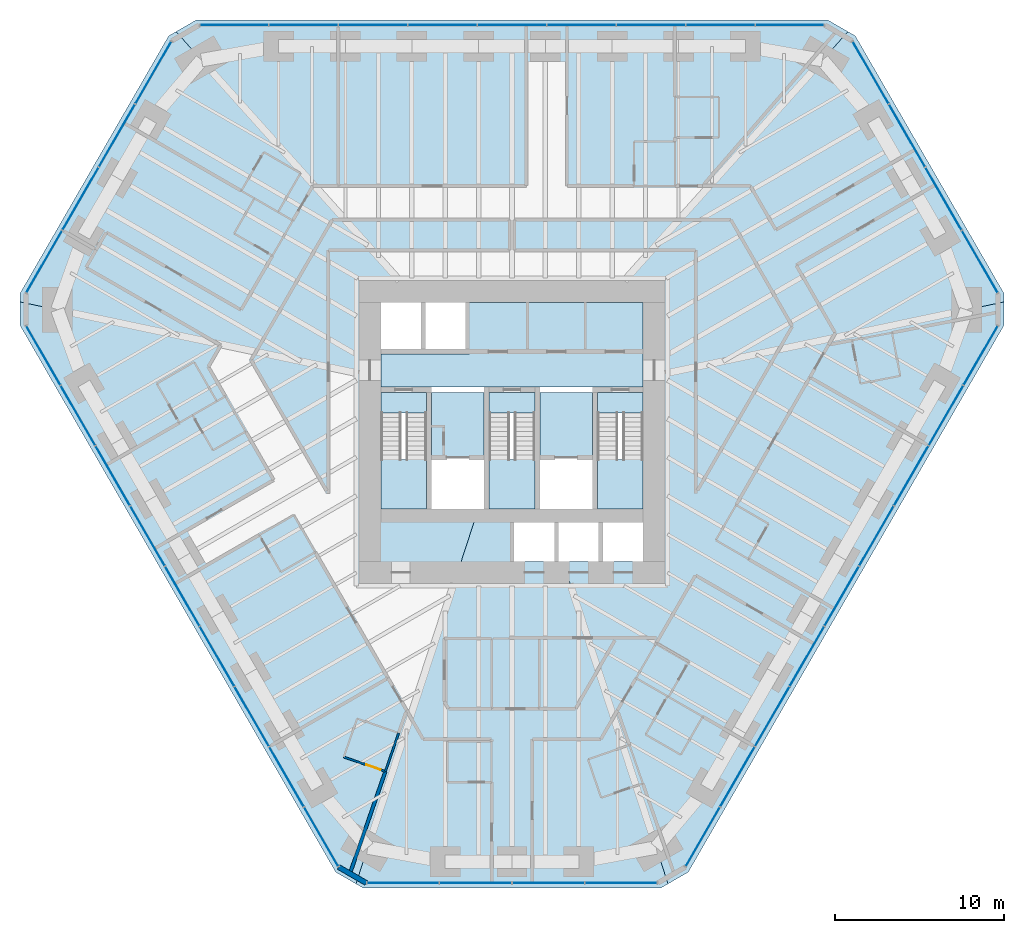
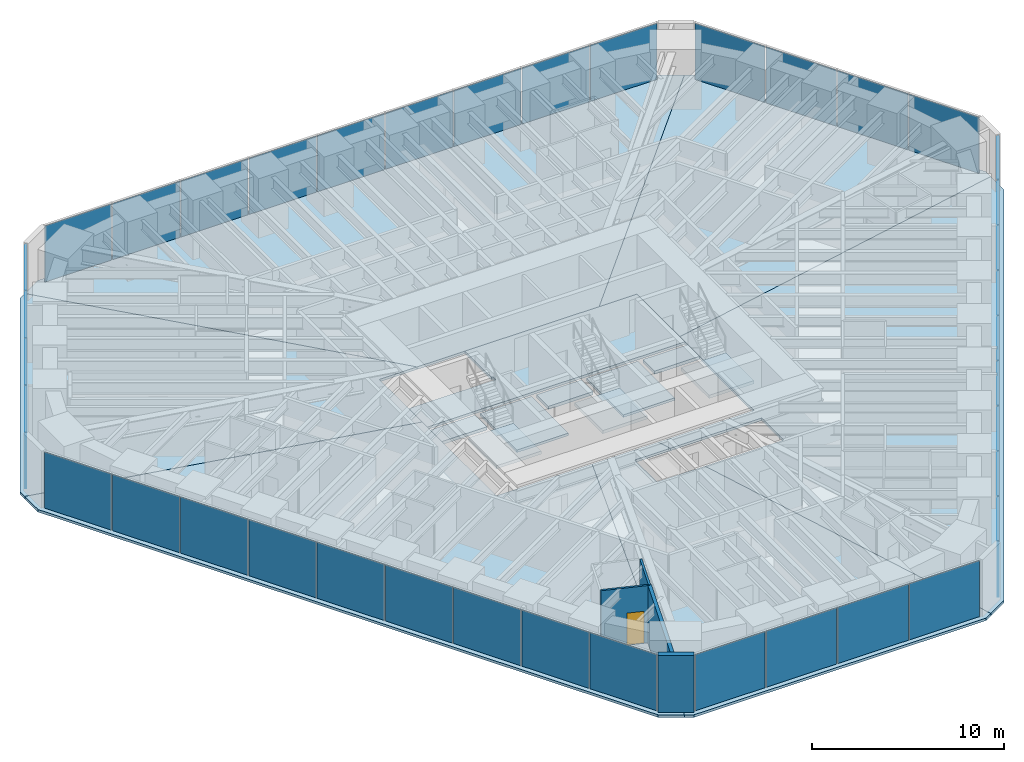
# One storey, part 10 of 16: 39 plates, 15 slabs, 4 walls, 1 door, 1 opening, 9 elements without a shape of their own.
"""IFC4 building model written with IfcOpenShell, lengths in metres."""

from ifc_helpers import new_model, si_unit, direction, frame, frame_2d, origin, origin_2d, place, context, subcontext, project, spatial, polyline, rectangle, outline, extrude, material, layer, layer_set, type_object, element, fill, aggregate, save


model = new_model("IFC4")

# Units and contexts
model_context = context("Model", 3, precision=1e-05, world=origin(), true_north=direction((0.0, 1.0)))
body_context = subcontext(model_context, "Body", "Model", "MODEL_VIEW")
ifc_project = project(units=[si_unit("LENGTHUNIT", "METRE"), si_unit("AREAUNIT", "SQUARE_METRE"), si_unit("VOLUMEUNIT", "CUBIC_METRE"), si_unit("PLANEANGLEUNIT", "RADIAN"), si_unit("MASSUNIT", "GRAM", prefix="KILO")], contexts=[model_context])

# Site, building, storey
site_placement = place(None, origin())
site = spatial("IfcSite", under=ifc_project, at=site_placement, CompositionType="ELEMENT")
building_placement = place(site_placement, origin())
building = spatial("IfcBuilding", under=site, at=building_placement, Name="Sandreach Pilgrim Tower", CompositionType="ELEMENT")
storey_placement = place(building_placement, frame((0.0, 0.0, 134.800048828125)))
storey = spatial("IfcBuildingStorey", under=building, at=storey_placement, Name="L33", CompositionType="ELEMENT", Elevation=134.800048828125)

# Curtain wall, plates
ifc_material_1 = material(Name="Aluminium framed curtain wall", Category="aluminium")
curtain_wall_type = type_object("IfcCurtainWallType", Name="Hotel tower curtain wall", PredefinedType="NOTDEFINED", material=ifc_material_1)
curtain_wall_1_placement = place(storey_placement, origin())
curtain_wall_1 = element("IfcCurtainWall", 1, at=curtain_wall_1_placement, inside=storey, type_object=curtain_wall_type, Name="CW-2 L33 N", PredefinedType="NOTDEFINED")
ifc_material_2 = material(Name="Insulating glass unit 8 heat-strengthened + 16 argon + 8 heat-strengthened", Category="glass")
ifc_layer_1 = layer(ifc_material_2, 0.031982421875)
ifc_layer_set_1 = layer_set([ifc_layer_1], Name="CW-2 panel")
plate_type = type_object("IfcPlateType", Name="CW-2 panel", PredefinedType="CURTAIN_PANEL", material=ifc_layer_set_1)
plate_1_placement = place(storey_placement, frame((-16.41162109375, 22.493896484375, 0.0), z_axis=(0.0, 0.0, 1.0), x_axis=(1.0, 0.0, 0.0)))
plate_1 = element("IfcPlate", 2, at=plate_1_placement, type_object=plate_type, Name="CW-2 panel 1", PredefinedType="CURTAIN_PANEL", context=body_context, shape_type="SweptSolid", body=[
    extrude(rectangle(XDim=4.009521484375, YDim=0.031982421875, at=origin_2d()), origin(), (0.0, 0.0, 1.0), 3.570068359375),
])
plate_2_placement = place(storey_placement, frame((-12.32080078125, 22.493896484375, 0.0), z_axis=(0.0, 0.0, 1.0), x_axis=(1.0, 0.0, 0.0)))
plate_2 = element("IfcPlate", 3, at=plate_2_placement, type_object=plate_type, Name="CW-2 panel 2", PredefinedType="CURTAIN_PANEL", context=body_context, shape_type="SweptSolid", body=[
    extrude(rectangle(XDim=4.0419921875, YDim=0.031982421875, at=origin_2d()), origin(), (0.0, 0.0, 1.0), 3.570068359375),
])
plate_3_placement = place(storey_placement, frame((-8.2138671875, 22.493896484375, 0.0), z_axis=(0.0, 0.0, 1.0), x_axis=(1.0, 0.0, 0.0)))
plate_3 = element("IfcPlate", 4, at=plate_3_placement, type_object=plate_type, Name="CW-2 panel 3", PredefinedType="CURTAIN_PANEL", context=body_context, shape_type="SweptSolid", body=[
    extrude(rectangle(XDim=4.0419921875, YDim=0.031982421875, at=origin_2d()), origin(), (0.0, 0.0, 1.0), 3.570068359375),
])
plate_4_placement = place(storey_placement, frame((-4.10693359375, 22.493896484375, 0.0), z_axis=(0.0, 0.0, 1.0), x_axis=(1.0, 0.0, 0.0)))
plate_4 = element("IfcPlate", 5, at=plate_4_placement, type_object=plate_type, Name="CW-2 panel 4", PredefinedType="CURTAIN_PANEL", context=body_context, shape_type="SweptSolid", body=[
    extrude(rectangle(XDim=4.0419921875, YDim=0.031982421875, at=origin_2d()), origin(), (0.0, 0.0, 1.0), 3.570068359375),
])
plate_5_placement = place(storey_placement, frame((0.0, 22.493896484375, 0.0), z_axis=(0.0, 0.0, 1.0), x_axis=(1.0, 0.0, 0.0)))
plate_5 = element("IfcPlate", 6, at=plate_5_placement, type_object=plate_type, Name="CW-2 panel 5", PredefinedType="CURTAIN_PANEL", context=body_context, shape_type="SweptSolid", body=[
    extrude(rectangle(XDim=4.0419921875, YDim=0.031982421875, at=origin_2d()), origin(), (0.0, 0.0, 1.0), 3.570068359375),
])
plate_6_placement = place(storey_placement, frame((4.10693359375, 22.493896484375, 0.0), z_axis=(0.0, 0.0, 1.0), x_axis=(1.0, 0.0, 0.0)))
plate_6 = element("IfcPlate", 7, at=plate_6_placement, type_object=plate_type, Name="CW-2 panel 6", PredefinedType="CURTAIN_PANEL", context=body_context, shape_type="SweptSolid", body=[
    extrude(rectangle(XDim=4.0419921875, YDim=0.031982421875, at=origin_2d()), origin(), (0.0, 0.0, 1.0), 3.570068359375),
])
plate_7_placement = place(storey_placement, frame((8.2138671875, 22.493896484375, 0.0), z_axis=(0.0, 0.0, 1.0), x_axis=(1.0, 0.0, 0.0)))
plate_7 = element("IfcPlate", 8, at=plate_7_placement, type_object=plate_type, Name="CW-2 panel 7", PredefinedType="CURTAIN_PANEL", context=body_context, shape_type="SweptSolid", body=[
    extrude(rectangle(XDim=4.0419921875, YDim=0.031982421875, at=origin_2d()), origin(), (0.0, 0.0, 1.0), 3.570068359375),
])
plate_8_placement = place(storey_placement, frame((12.32080078125, 22.493896484375, 0.0), z_axis=(0.0, 0.0, 1.0), x_axis=(1.0, 0.0, 0.0)))
plate_8 = element("IfcPlate", 9, at=plate_8_placement, type_object=plate_type, Name="CW-2 panel 8", PredefinedType="CURTAIN_PANEL", context=body_context, shape_type="SweptSolid", body=[
    extrude(rectangle(XDim=4.0419921875, YDim=0.031982421875, at=origin_2d()), origin(), (0.0, 0.0, 1.0), 3.570068359375),
])
plate_9_placement = place(storey_placement, frame((16.41162109375, 22.493896484375, 0.0), z_axis=(0.0, 0.0, 1.0), x_axis=(1.0, 0.0, 0.0)))
plate_9 = element("IfcPlate", 10, at=plate_9_placement, type_object=plate_type, Name="CW-2 panel 9", PredefinedType="CURTAIN_PANEL", context=body_context, shape_type="SweptSolid", body=[
    extrude(rectangle(XDim=4.009521484375, YDim=0.031982421875, at=origin_2d()), origin(), (0.0, 0.0, 1.0), 3.570068359375),
])
aggregate(curtain_wall_1, [plate_1, plate_2, plate_3, plate_4, plate_5, plate_6, plate_7, plate_8, plate_9])

curtain_wall_2_placement = place(storey_placement, origin())
curtain_wall_2 = element("IfcCurtainWall", 11, at=curtain_wall_2_placement, inside=storey, type_object=curtain_wall_type, Name="CW-2 L33 NE", PredefinedType="NOTDEFINED")
plate_10_placement = place(storey_placement, frame((21.194091796875, 19.67529296875, 0.0), z_axis=(0.0, 0.0, 1.0), x_axis=(0.5, -0.866025403784, 0.0)))
plate_10 = element("IfcPlate", 12, at=plate_10_placement, type_object=plate_type, Name="CW-2 panel 1", PredefinedType="CURTAIN_PANEL", context=body_context, shape_type="SweptSolid", body=[
    extrude(rectangle(XDim=4.208251953125, YDim=0.031982421875, at=origin_2d()), origin(), (0.0, 0.0, 1.0), 3.570068359375),
])
plate_11_placement = place(storey_placement, frame((23.3388671875, 15.96044921875, 0.0), z_axis=(0.0, 0.0, 1.0), x_axis=(0.5, -0.866025403784, 0.0)))
plate_11 = element("IfcPlate", 13, at=plate_11_placement, type_object=plate_type, Name="CW-2 panel 2", PredefinedType="CURTAIN_PANEL", context=body_context, shape_type="SweptSolid", body=[
    extrude(rectangle(XDim=4.24072265625, YDim=0.031982421875, at=origin_2d()), origin(), (0.0, 0.0, 1.0), 3.570068359375),
])
plate_12_placement = place(storey_placement, frame((25.49169921875, 12.231689453125, 0.0), z_axis=(0.0, 0.0, 1.0), x_axis=(0.5, -0.866025403784, 0.0)))
plate_12 = element("IfcPlate", 14, at=plate_12_placement, type_object=plate_type, Name="CW-2 panel 3", PredefinedType="CURTAIN_PANEL", context=body_context, shape_type="SweptSolid", body=[
    extrude(rectangle(XDim=4.24072265625, YDim=0.031982421875, at=origin_2d()), origin(), (0.0, 0.0, 1.0), 3.570068359375),
])
plate_13_placement = place(storey_placement, frame((27.63623046875, 8.516845703125, 0.0), z_axis=(0.0, 0.0, 1.0), x_axis=(0.5, -0.866025403784, 0.0)))
plate_13 = element("IfcPlate", 15, at=plate_13_placement, type_object=plate_type, Name="CW-2 panel 4", PredefinedType="CURTAIN_PANEL", context=body_context, shape_type="SweptSolid", body=[
    extrude(rectangle(XDim=4.208251953125, YDim=0.031982421875, at=origin_2d()), origin(), (0.0, 0.0, 1.0), 3.570068359375),
])
aggregate(curtain_wall_2, [plate_10, plate_11, plate_12, plate_13])

curtain_wall_3_placement = place(storey_placement, origin())
curtain_wall_3 = element("IfcCurtainWall", 16, at=curtain_wall_3_placement, inside=storey, type_object=curtain_wall_type, Name="CW-2 L33 SE", PredefinedType="NOTDEFINED")
plate_14_placement = place(storey_placement, frame((27.68603515625, 2.966064453125, 0.0), z_axis=(0.0, 0.0, 1.0), x_axis=(-0.5, -0.866025403784, 0.0)))
plate_14 = element("IfcPlate", 17, at=plate_14_placement, type_object=plate_type, Name="CW-2 panel 1", PredefinedType="CURTAIN_PANEL", context=body_context, shape_type="SweptSolid", body=[
    extrude(rectangle(XDim=4.009521484375, YDim=0.031982421875, at=origin_2d()), origin(), (0.0, 0.0, 1.0), 3.570068359375),
])
plate_15_placement = place(storey_placement, frame((25.640625, -0.57666015625, 0.0), z_axis=(0.0, 0.0, 1.0), x_axis=(-0.5, -0.866025403784, 0.0)))
plate_15 = element("IfcPlate", 18, at=plate_15_placement, type_object=plate_type, Name="CW-2 panel 2", PredefinedType="CURTAIN_PANEL", context=body_context, shape_type="SweptSolid", body=[
    extrude(rectangle(XDim=4.0419921875, YDim=0.031982421875, at=origin_2d()), origin(), (0.0, 0.0, 1.0), 3.570068359375),
])
plate_16_placement = place(storey_placement, frame((23.587158203125, -4.13330078125, 0.0), z_axis=(0.0, 0.0, 1.0), x_axis=(-0.5, -0.866025403784, 0.0)))
plate_16 = element("IfcPlate", 19, at=plate_16_placement, type_object=plate_type, Name="CW-2 panel 3", PredefinedType="CURTAIN_PANEL", context=body_context, shape_type="SweptSolid", body=[
    extrude(rectangle(XDim=4.0419921875, YDim=0.031982421875, at=origin_2d()), origin(), (0.0, 0.0, 1.0), 3.570068359375),
])
plate_17_placement = place(storey_placement, frame((21.53369140625, -7.690185546875, 0.0), z_axis=(0.0, 0.0, 1.0), x_axis=(-0.5, -0.866025403784, 0.0)))
plate_17 = element("IfcPlate", 20, at=plate_17_placement, type_object=plate_type, Name="CW-2 panel 4", PredefinedType="CURTAIN_PANEL", context=body_context, shape_type="SweptSolid", body=[
    extrude(rectangle(XDim=4.0419921875, YDim=0.031982421875, at=origin_2d()), origin(), (0.0, 0.0, 1.0), 3.570068359375),
])
plate_18_placement = place(storey_placement, frame((19.480224609375, -11.246826171875, 0.0), z_axis=(0.0, 0.0, 1.0), x_axis=(-0.5, -0.866025403784, 0.0)))
plate_18 = element("IfcPlate", 21, at=plate_18_placement, type_object=plate_type, Name="CW-2 panel 5", PredefinedType="CURTAIN_PANEL", context=body_context, shape_type="SweptSolid", body=[
    extrude(rectangle(XDim=4.0419921875, YDim=0.031982421875, at=origin_2d()), origin(), (0.0, 0.0, 1.0), 3.570068359375),
])
plate_19_placement = place(storey_placement, frame((17.4267578125, -14.8037109375, 0.0), z_axis=(0.0, 0.0, 1.0), x_axis=(-0.5, -0.866025403784, 0.0)))
plate_19 = element("IfcPlate", 22, at=plate_19_placement, type_object=plate_type, Name="CW-2 panel 6", PredefinedType="CURTAIN_PANEL", context=body_context, shape_type="SweptSolid", body=[
    extrude(rectangle(XDim=4.0419921875, YDim=0.031982421875, at=origin_2d()), origin(), (0.0, 0.0, 1.0), 3.570068359375),
])
plate_20_placement = place(storey_placement, frame((15.373291015625, -18.3603515625, 0.0), z_axis=(0.0, 0.0, 1.0), x_axis=(-0.5, -0.866025403784, 0.0)))
plate_20 = element("IfcPlate", 23, at=plate_20_placement, type_object=plate_type, Name="CW-2 panel 7", PredefinedType="CURTAIN_PANEL", context=body_context, shape_type="SweptSolid", body=[
    extrude(rectangle(XDim=4.0419921875, YDim=0.031982421875, at=origin_2d()), origin(), (0.0, 0.0, 1.0), 3.570068359375),
])
plate_21_placement = place(storey_placement, frame((13.31982421875, -21.917236328125, 0.0), z_axis=(0.0, 0.0, 1.0), x_axis=(-0.5, -0.866025403784, 0.0)))
plate_21 = element("IfcPlate", 24, at=plate_21_placement, type_object=plate_type, Name="CW-2 panel 8", PredefinedType="CURTAIN_PANEL", context=body_context, shape_type="SweptSolid", body=[
    extrude(rectangle(XDim=4.0419921875, YDim=0.031982421875, at=origin_2d()), origin(), (0.0, 0.0, 1.0), 3.570068359375),
])
plate_22_placement = place(storey_placement, frame((11.2744140625, -25.459716796875, 0.0), z_axis=(0.0, 0.0, 1.0), x_axis=(-0.5, -0.866025403784, 0.0)))
plate_22 = element("IfcPlate", 25, at=plate_22_placement, type_object=plate_type, Name="CW-2 panel 9", PredefinedType="CURTAIN_PANEL", context=body_context, shape_type="SweptSolid", body=[
    extrude(rectangle(XDim=4.009521484375, YDim=0.031982421875, at=origin_2d()), origin(), (0.0, 0.0, 1.0), 3.570068359375),
])
aggregate(curtain_wall_3, [plate_14, plate_15, plate_16, plate_17, plate_18, plate_19, plate_20, plate_21, plate_22])

curtain_wall_4_placement = place(storey_placement, origin())
curtain_wall_4 = element("IfcCurtainWall", 26, at=curtain_wall_4_placement, inside=storey, type_object=curtain_wall_type, Name="CW-2 L33 S", PredefinedType="NOTDEFINED")
plate_23_placement = place(storey_placement, frame((6.4423828125, -28.192138671875, 0.0), z_axis=(0.0, 0.0, 1.0), x_axis=(-1.0, 0.0, 0.0)))
plate_23 = element("IfcPlate", 27, at=plate_23_placement, type_object=plate_type, Name="CW-2 panel 1", PredefinedType="CURTAIN_PANEL", context=body_context, shape_type="SweptSolid", body=[
    extrude(rectangle(XDim=4.208251953125, YDim=0.031982421875, at=origin_2d()), origin(), (0.0, 0.0, 1.0), 3.570068359375),
])
plate_24_placement = place(storey_placement, frame((2.15283203125, -28.192138671875, 0.0), z_axis=(0.0, 0.0, 1.0), x_axis=(-1.0, 0.0, 0.0)))
plate_24 = element("IfcPlate", 28, at=plate_24_placement, type_object=plate_type, Name="CW-2 panel 2", PredefinedType="CURTAIN_PANEL", context=body_context, shape_type="SweptSolid", body=[
    extrude(rectangle(XDim=4.24072265625, YDim=0.031982421875, at=origin_2d()), origin(), (0.0, 0.0, 1.0), 3.570068359375),
])
plate_25_placement = place(storey_placement, frame((-2.15283203125, -28.192138671875, 0.0), z_axis=(0.0, 0.0, 1.0), x_axis=(-1.0, 0.0, 0.0)))
plate_25 = element("IfcPlate", 29, at=plate_25_placement, type_object=plate_type, Name="CW-2 panel 3", PredefinedType="CURTAIN_PANEL", context=body_context, shape_type="SweptSolid", body=[
    extrude(rectangle(XDim=4.24072265625, YDim=0.031982421875, at=origin_2d()), origin(), (0.0, 0.0, 1.0), 3.570068359375),
])
plate_26_placement = place(storey_placement, frame((-6.4423828125, -28.192138671875, 0.0), z_axis=(0.0, 0.0, 1.0), x_axis=(-1.0, 0.0, 0.0)))
plate_26 = element("IfcPlate", 30, at=plate_26_placement, type_object=plate_type, Name="CW-2 panel 4", PredefinedType="CURTAIN_PANEL", context=body_context, shape_type="SweptSolid", body=[
    extrude(rectangle(XDim=4.208251953125, YDim=0.031982421875, at=origin_2d()), origin(), (0.0, 0.0, 1.0), 3.570068359375),
])
aggregate(curtain_wall_4, [plate_23, plate_24, plate_25, plate_26])

curtain_wall_5_placement = place(storey_placement, origin())
curtain_wall_5 = element("IfcCurtainWall", 31, at=curtain_wall_5_placement, inside=storey, type_object=curtain_wall_type, Name="CW-2 L33 SW", PredefinedType="NOTDEFINED")
plate_27_placement = place(storey_placement, frame((-11.2744140625, -25.459716796875, 0.0), z_axis=(0.0, 0.0, 1.0), x_axis=(-0.5, 0.866025403784, 0.0)))
plate_27 = element("IfcPlate", 32, at=plate_27_placement, type_object=plate_type, Name="CW-2 panel 1", PredefinedType="CURTAIN_PANEL", context=body_context, shape_type="SweptSolid", body=[
    extrude(rectangle(XDim=4.009521484375, YDim=0.031982421875, at=origin_2d()), origin(), (0.0, 0.0, 1.0), 3.570068359375),
])
plate_28_placement = place(storey_placement, frame((-13.31982421875, -21.917236328125, 0.0), z_axis=(0.0, 0.0, 1.0), x_axis=(-0.5, 0.866025403784, 0.0)))
plate_28 = element("IfcPlate", 33, at=plate_28_placement, type_object=plate_type, Name="CW-2 panel 2", PredefinedType="CURTAIN_PANEL", context=body_context, shape_type="SweptSolid", body=[
    extrude(rectangle(XDim=4.0419921875, YDim=0.031982421875, at=origin_2d()), origin(), (0.0, 0.0, 1.0), 3.570068359375),
])
plate_29_placement = place(storey_placement, frame((-15.373291015625, -18.3603515625, 0.0), z_axis=(0.0, 0.0, 1.0), x_axis=(-0.5, 0.866025403784, 0.0)))
plate_29 = element("IfcPlate", 34, at=plate_29_placement, type_object=plate_type, Name="CW-2 panel 3", PredefinedType="CURTAIN_PANEL", context=body_context, shape_type="SweptSolid", body=[
    extrude(rectangle(XDim=4.0419921875, YDim=0.031982421875, at=origin_2d()), origin(), (0.0, 0.0, 1.0), 3.570068359375),
])
plate_30_placement = place(storey_placement, frame((-17.4267578125, -14.8037109375, 0.0), z_axis=(0.0, 0.0, 1.0), x_axis=(-0.5, 0.866025403784, 0.0)))
plate_30 = element("IfcPlate", 35, at=plate_30_placement, type_object=plate_type, Name="CW-2 panel 4", PredefinedType="CURTAIN_PANEL", context=body_context, shape_type="SweptSolid", body=[
    extrude(rectangle(XDim=4.0419921875, YDim=0.031982421875, at=origin_2d()), origin(), (0.0, 0.0, 1.0), 3.570068359375),
])
plate_31_placement = place(storey_placement, frame((-19.480224609375, -11.246826171875, 0.0), z_axis=(0.0, 0.0, 1.0), x_axis=(-0.5, 0.866025403784, 0.0)))
plate_31 = element("IfcPlate", 36, at=plate_31_placement, type_object=plate_type, Name="CW-2 panel 5", PredefinedType="CURTAIN_PANEL", context=body_context, shape_type="SweptSolid", body=[
    extrude(rectangle(XDim=4.0419921875, YDim=0.031982421875, at=origin_2d()), origin(), (0.0, 0.0, 1.0), 3.570068359375),
])
plate_32_placement = place(storey_placement, frame((-21.53369140625, -7.690185546875, 0.0), z_axis=(0.0, 0.0, 1.0), x_axis=(-0.5, 0.866025403784, 0.0)))
plate_32 = element("IfcPlate", 37, at=plate_32_placement, type_object=plate_type, Name="CW-2 panel 6", PredefinedType="CURTAIN_PANEL", context=body_context, shape_type="SweptSolid", body=[
    extrude(rectangle(XDim=4.0419921875, YDim=0.031982421875, at=origin_2d()), origin(), (0.0, 0.0, 1.0), 3.570068359375),
])
plate_33_placement = place(storey_placement, frame((-23.587158203125, -4.13330078125, 0.0), z_axis=(0.0, 0.0, 1.0), x_axis=(-0.5, 0.866025403784, 0.0)))
plate_33 = element("IfcPlate", 38, at=plate_33_placement, type_object=plate_type, Name="CW-2 panel 7", PredefinedType="CURTAIN_PANEL", context=body_context, shape_type="SweptSolid", body=[
    extrude(rectangle(XDim=4.0419921875, YDim=0.031982421875, at=origin_2d()), origin(), (0.0, 0.0, 1.0), 3.570068359375),
])
plate_34_placement = place(storey_placement, frame((-25.640625, -0.57666015625, 0.0), z_axis=(0.0, 0.0, 1.0), x_axis=(-0.5, 0.866025403784, 0.0)))
plate_34 = element("IfcPlate", 39, at=plate_34_placement, type_object=plate_type, Name="CW-2 panel 8", PredefinedType="CURTAIN_PANEL", context=body_context, shape_type="SweptSolid", body=[
    extrude(rectangle(XDim=4.0419921875, YDim=0.031982421875, at=origin_2d()), origin(), (0.0, 0.0, 1.0), 3.570068359375),
])
plate_35_placement = place(storey_placement, frame((-27.68603515625, 2.966064453125, 0.0), z_axis=(0.0, 0.0, 1.0), x_axis=(-0.5, 0.866025403784, 0.0)))
plate_35 = element("IfcPlate", 40, at=plate_35_placement, type_object=plate_type, Name="CW-2 panel 9", PredefinedType="CURTAIN_PANEL", context=body_context, shape_type="SweptSolid", body=[
    extrude(rectangle(XDim=4.009521484375, YDim=0.031982421875, at=origin_2d()), origin(), (0.0, 0.0, 1.0), 3.570068359375),
])
aggregate(curtain_wall_5, [plate_27, plate_28, plate_29, plate_30, plate_31, plate_32, plate_33, plate_34, plate_35])

curtain_wall_6_placement = place(storey_placement, origin())
curtain_wall_6 = element("IfcCurtainWall", 41, at=curtain_wall_6_placement, inside=storey, type_object=curtain_wall_type, Name="CW-2 L33 NW", PredefinedType="NOTDEFINED")
plate_36_placement = place(storey_placement, frame((-27.63623046875, 8.516845703125, 0.0), z_axis=(0.0, 0.0, 1.0), x_axis=(0.5, 0.866025403784, 0.0)))
plate_36 = element("IfcPlate", 42, at=plate_36_placement, type_object=plate_type, Name="CW-2 panel 1", PredefinedType="CURTAIN_PANEL", context=body_context, shape_type="SweptSolid", body=[
    extrude(rectangle(XDim=4.208251953125, YDim=0.031982421875, at=origin_2d()), origin(), (0.0, 0.0, 1.0), 3.570068359375),
])
plate_37_placement = place(storey_placement, frame((-25.49169921875, 12.231689453125, 0.0), z_axis=(0.0, 0.0, 1.0), x_axis=(0.5, 0.866025403784, 0.0)))
plate_37 = element("IfcPlate", 43, at=plate_37_placement, type_object=plate_type, Name="CW-2 panel 2", PredefinedType="CURTAIN_PANEL", context=body_context, shape_type="SweptSolid", body=[
    extrude(rectangle(XDim=4.24072265625, YDim=0.031982421875, at=origin_2d()), origin(), (0.0, 0.0, 1.0), 3.570068359375),
])
plate_38_placement = place(storey_placement, frame((-23.3388671875, 15.96044921875, 0.0), z_axis=(0.0, 0.0, 1.0), x_axis=(0.5, 0.866025403784, 0.0)))
plate_38 = element("IfcPlate", 44, at=plate_38_placement, type_object=plate_type, Name="CW-2 panel 3", PredefinedType="CURTAIN_PANEL", context=body_context, shape_type="SweptSolid", body=[
    extrude(rectangle(XDim=4.24072265625, YDim=0.031982421875, at=origin_2d()), origin(), (0.0, 0.0, 1.0), 3.570068359375),
])
plate_39_placement = place(storey_placement, frame((-21.194091796875, 19.67529296875, 0.0), z_axis=(0.0, 0.0, 1.0), x_axis=(0.5, 0.866025403784, 0.0)))
plate_39 = element("IfcPlate", 45, at=plate_39_placement, type_object=plate_type, Name="CW-2 panel 4", PredefinedType="CURTAIN_PANEL", context=body_context, shape_type="SweptSolid", body=[
    extrude(rectangle(XDim=4.208251953125, YDim=0.031982421875, at=origin_2d()), origin(), (0.0, 0.0, 1.0), 3.570068359375),
])
aggregate(curtain_wall_6, [plate_36, plate_37, plate_38, plate_39])

# Slabs
ifc_material_3 = material(Name="Concrete 8000 psi", Category="concrete")
ifc_layer_2 = layer(ifc_material_3, 0.159912109375)
ifc_layer_set_2 = layer_set([ifc_layer_2], Name="Composite floor slab 160")
slab_type_1 = type_object("IfcSlabType", Name="Composite floor slab 160", PredefinedType="FLOOR", material=ifc_layer_set_2)
slab_1_placement = place(storey_placement, frame((0.0, 0.0, -0.16015625)))
element("IfcSlab", 46, at=slab_1_placement, inside=storey, type_object=slab_type_1, Name="Floor slab L33 N sector", PredefinedType="FLOOR", context=body_context, shape_type="SweptSolid", body=[
    extrude(outline(polyline([(-18.654541015625, 22.793701171875), (18.654541015625, 22.793701171875), (19.848388671875, 22.1044921875), (5.477294921875, 6.10009765625), (-5.477294921875, 6.10009765625), (-19.848388671875, 22.1044921875), (-18.654541015625, 22.793701171875)])), origin(), (0.0, 0.0, 1.0), 0.16015625),
])
slab_2_placement = place(storey_placement, frame((0.0, 0.0, -0.16015625)))
element("IfcSlab", 47, at=slab_2_placement, inside=storey, type_object=slab_type_1, Name="Floor slab L33 NE sector", PredefinedType="FLOOR", context=body_context, shape_type="SweptSolid", body=[
    extrude(outline(polyline([(20.28271484375, 21.853759765625), (29.0673828125, 6.638427734375), (29.0673828125, 6.13720703125), (7.75, 1.63623046875), (7.75, 6.10009765625), (5.477294921875, 6.10009765625), (19.848388671875, 22.1044921875), (20.28271484375, 21.853759765625)])), origin(), (0.0, 0.0, 1.0), 0.16015625),
])
slab_3_placement = place(storey_placement, frame((0.0, 0.0, -0.16015625)))
element("IfcSlab", 48, at=slab_3_placement, inside=storey, type_object=slab_type_1, Name="Floor slab L33 SE sector", PredefinedType="FLOOR", context=body_context, shape_type="SweptSolid", body=[
    extrude(outline(polyline([(29.0673828125, 4.75830078125), (10.41259765625, -27.55224609375), (9.21875, -28.241455078125), (3.003173828125, -9.199951171875), (7.75, -9.199951171875), (7.75, -6.89990234375), (2.252197265625, -6.89990234375), (1.9912109375, -6.10009765625), (7.75, -6.10009765625), (7.75, 1.63623046875), (29.0673828125, 6.13720703125), (29.0673828125, 4.75830078125)])), origin(), (0.0, 0.0, 1.0), 0.16015625),
])
slab_4_placement = place(storey_placement, frame((0.0, 0.0, -0.16015625)))
element("IfcSlab", 49, at=slab_4_placement, inside=storey, type_object=slab_type_1, Name="Floor slab L33 S sector", PredefinedType="FLOOR", context=body_context, shape_type="SweptSolid", body=[
    extrude(outline(polyline([(8.78466796875, -28.4921875), (-8.78466796875, -28.4921875), (-9.21875, -28.241455078125), (-1.9912109375, -6.10009765625), (1.9912109375, -6.10009765625), (2.252197265625, -6.89990234375), (0.125, -6.89990234375), (0.125, -9.199951171875), (3.003173828125, -9.199951171875), (9.21875, -28.241455078125), (8.78466796875, -28.4921875)])), origin(), (0.0, 0.0, 1.0), 0.16015625),
])
slab_5_placement = place(storey_placement, frame((0.0, 0.0, -0.16015625)))
element("IfcSlab", 50, at=slab_5_placement, inside=storey, type_object=slab_type_1, Name="Floor slab L33 SW sector", PredefinedType="FLOOR", context=body_context, shape_type="SweptSolid", body=[
    extrude(outline(polyline([(-10.41259765625, -27.55224609375), (-29.0673828125, 4.75830078125), (-29.0673828125, 6.13720703125), (-7.75, 1.63623046875), (-7.75, -6.10009765625), (-1.9912109375, -6.10009765625), (-9.21875, -28.241455078125), (-10.41259765625, -27.55224609375)])), origin(), (0.0, 0.0, 1.0), 0.16015625),
])
slab_6_placement = place(storey_placement, frame((0.0, 0.0, -0.16015625)))
element("IfcSlab", 51, at=slab_6_placement, inside=storey, type_object=slab_type_1, Name="Floor slab L33 NW sector", PredefinedType="FLOOR", context=body_context, shape_type="SweptSolid", body=[
    extrude(outline(polyline([(-29.0673828125, 6.638427734375), (-20.28271484375, 21.853759765625), (-19.848388671875, 22.1044921875), (-5.477294921875, 6.10009765625), (-7.75, 6.10009765625), (-7.75, 1.63623046875), (-29.0673828125, 6.13720703125), (-29.0673828125, 6.638427734375)])), origin(), (0.0, 0.0, 1.0), 0.16015625),
])
slab_7_placement = place(storey_placement, frame((0.0, 0.0, -0.16015625)))
element("IfcSlab", 52, at=slab_7_placement, inside=storey, type_object=slab_type_1, Name="Core floor slab and stores L33", PredefinedType="FLOOR", context=body_context, shape_type="SweptSolid", body=[
    extrude(outline(polyline([(-7.75, 3.050048828125), (-5.375, 3.050048828125), (-5.125, 3.050048828125), (-2.5, 3.050048828125), (-2.5, 3.35009765625), (-2.60009765625, 3.35009765625), (-2.60009765625, 6.10009765625), (7.75, 6.10009765625), (7.75, 1.10009765625), (5.050048828125, 1.10009765625), (4.75, 1.10009765625), (1.64990234375, 1.10009765625), (1.35009765625, 1.10009765625), (-1.35009765625, 1.10009765625), (-1.64990234375, 1.10009765625), (-4.75, 1.10009765625), (-5.050048828125, 1.10009765625), (-7.75, 1.10009765625), (-7.75, 3.050048828125)])), origin(), (0.0, 0.0, 1.0), 0.16015625),
])
slab_8_placement = place(storey_placement, frame((0.0, 0.0, -0.16015625)))
element("IfcSlab", 53, at=slab_8_placement, inside=storey, type_object=slab_type_1, Name="Core floor slab and stores L33 2", PredefinedType="FLOOR", context=body_context, shape_type="SweptSolid", body=[
    extrude(outline(polyline([(-1.64990234375, -3.050048828125), (-4.75, -3.050048828125), (-4.75, 0.800048828125), (-1.64990234375, 0.800048828125), (-1.64990234375, -3.050048828125)])), origin(), (0.0, 0.0, 1.0), 0.16015625),
])
slab_9_placement = place(storey_placement, frame((0.0, 0.0, -0.16015625)))
element("IfcSlab", 54, at=slab_9_placement, inside=storey, type_object=slab_type_1, Name="Core floor slab and stores L33 3", PredefinedType="FLOOR", context=body_context, shape_type="SweptSolid", body=[
    extrude(outline(polyline([(4.75, -3.050048828125), (1.64990234375, -3.050048828125), (1.64990234375, 0.800048828125), (4.75, 0.800048828125), (4.75, -3.050048828125)])), origin(), (0.0, 0.0, 1.0), 0.16015625),
])

# Stair, slabs
ifc_material_4 = material(Name="Concrete 8000 psi", Category="concrete")
stair_type = type_object("IfcStairType", Name="Core exit stair", PredefinedType="HALF_TURN_STAIR", material=ifc_material_4)
stair_1_placement = place(storey_placement, origin())
stair_1 = element("IfcStair", 55, at=stair_1_placement, inside=storey, type_object=stair_type, Name="Exit stair ST1 L33", PredefinedType="HALF_TURN_STAIR")
ifc_material_5 = material(Name="Concrete 8000 psi", Category="concrete")
ifc_layer_3 = layer(ifc_material_5, 0.199951171875)
ifc_layer_set_3 = layer_set([ifc_layer_3], Name="Core stair landing 200")
slab_type_2 = type_object("IfcSlabType", Name="Core stair landing 200", PredefinedType="LANDING", material=ifc_layer_set_3)
slab_10_placement = place(storey_placement, frame((0.0, 0.0, -0.199951171875)))
slab_10 = element("IfcSlab", 56, at=slab_10_placement, type_object=slab_type_2, Name="ST1 landing 1", PredefinedType="LANDING", context=body_context, shape_type="SweptSolid", body=[
    extrude(outline(polyline([(-7.75, -0.425048828125), (-5.050048828125, -0.425048828125), (-5.050048828125, 0.800048828125), (-7.75, 0.800048828125), (-7.75, -0.425048828125)])), origin(), (0.0, 0.0, 1.0), 0.199951171875),
])
slab_11_placement = place(storey_placement, frame((0.0, 0.0, 1.699951171875)))
slab_11 = element("IfcSlab", 57, at=slab_11_placement, type_object=slab_type_2, Name="ST1 landing 2", PredefinedType="LANDING", context=body_context, shape_type="SweptSolid", body=[
    extrude(outline(polyline([(-7.75, -6.10009765625), (-5.050048828125, -6.10009765625), (-5.050048828125, -3.175048828125), (-7.75, -3.175048828125), (-7.75, -6.10009765625)])), origin(), (0.0, 0.0, 1.0), 0.199951171875),
])
aggregate(stair_1, [slab_10, slab_11])

stair_2_placement = place(storey_placement, origin())
stair_2 = element("IfcStair", 58, at=stair_2_placement, inside=storey, type_object=stair_type, Name="Exit stair ST3 L33", PredefinedType="HALF_TURN_STAIR")
slab_12_placement = place(storey_placement, frame((0.0, 0.0, -0.199951171875)))
slab_12 = element("IfcSlab", 59, at=slab_12_placement, type_object=slab_type_2, Name="ST3 landing 1", PredefinedType="LANDING", context=body_context, shape_type="SweptSolid", body=[
    extrude(outline(polyline([(-1.35009765625, -0.425048828125), (1.35009765625, -0.425048828125), (1.35009765625, 0.800048828125), (-1.35009765625, 0.800048828125), (-1.35009765625, -0.425048828125)])), origin(), (0.0, 0.0, 1.0), 0.199951171875),
])
slab_13_placement = place(storey_placement, frame((0.0, 0.0, 1.699951171875)))
slab_13 = element("IfcSlab", 60, at=slab_13_placement, type_object=slab_type_2, Name="ST3 landing 2", PredefinedType="LANDING", context=body_context, shape_type="SweptSolid", body=[
    extrude(outline(polyline([(-1.35009765625, -6.10009765625), (1.35009765625, -6.10009765625), (1.35009765625, -3.175048828125), (-1.35009765625, -3.175048828125), (-1.35009765625, -6.10009765625)])), origin(), (0.0, 0.0, 1.0), 0.199951171875),
])
aggregate(stair_2, [slab_12, slab_13])

stair_3_placement = place(storey_placement, origin())
stair_3 = element("IfcStair", 61, at=stair_3_placement, inside=storey, type_object=stair_type, Name="Exit stair ST2 L33", PredefinedType="HALF_TURN_STAIR")
slab_14_placement = place(storey_placement, frame((0.0, 0.0, -0.199951171875)))
slab_14 = element("IfcSlab", 62, at=slab_14_placement, type_object=slab_type_2, Name="ST2 landing 1", PredefinedType="LANDING", context=body_context, shape_type="SweptSolid", body=[
    extrude(outline(polyline([(5.050048828125, -0.425048828125), (7.75, -0.425048828125), (7.75, 0.800048828125), (5.050048828125, 0.800048828125), (5.050048828125, -0.425048828125)])), origin(), (0.0, 0.0, 1.0), 0.199951171875),
])
slab_15_placement = place(storey_placement, frame((0.0, 0.0, 1.699951171875)))
slab_15 = element("IfcSlab", 63, at=slab_15_placement, type_object=slab_type_2, Name="ST2 landing 2", PredefinedType="LANDING", context=body_context, shape_type="SweptSolid", body=[
    extrude(outline(polyline([(5.050048828125, -6.10009765625), (7.75, -6.10009765625), (7.75, -3.175048828125), (5.050048828125, -3.175048828125), (5.050048828125, -6.10009765625)])), origin(), (0.0, 0.0, 1.0), 0.199951171875),
])
aggregate(stair_3, [slab_14, slab_15])

# Wall, opening, door
ifc_material_6 = material(Name="Moisture-resistant gypsum board on steel studs", Category="steel")
ifc_layer_4 = layer(ifc_material_6, 0.1201171875)
ifc_layer_set_4 = layer_set([ifc_layer_4], Name="Bathroom partition 120")
wall_type_1 = type_object("IfcWallType", Name="Bathroom partition 120", PredefinedType="PARTITIONING", material=ifc_layer_set_4)
wall_1_placement = place(storey_placement, frame((-9.93994140625, -20.75, 0.0), z_axis=(0.0, 0.0, 1.0), x_axis=(0.94515546045, -0.326620813149, 0.0)))
wall_1 = element("IfcWall", 64, at=wall_1_placement, inside=storey, type_object=wall_type_1, Name="Bathroom partition L33-045", PredefinedType="PARTITIONING", context=body_context, shape_type="SweptSolid", body=[
    extrude(rectangle(XDim=2.602783203125, YDim=0.1201171875, at=frame_2d((1.30126953125, 0.0))), origin(), (0.0, 0.0, 1.0), 3.639892578125),
])
opening_placement = place(wall_1_placement, frame((1.402587890625, 0.0, 0.0)))
opening = element("IfcOpeningElement", 65, at=opening_placement, cuts=wall_1, Name="Opening D09-12B", PredefinedType="OPENING", context=body_context, shape_type="SweptSolid", body=[
    extrude(rectangle(XDim=0.89990234375, YDim=2.030029296875, at=frame_2d((0.449951171875, 1.01513671875))), frame((0.0, 0.06005859375, 0.0), z_axis=(0.0, -1.0, 0.0), x_axis=(1.0, 0.0, 0.0)), (0.0, 0.0, 1.0), 0.1201171875),
])
ifc_material_7 = material(Name="Timber door, steel frame", Category="steel")
door_type = type_object("IfcDoorType", Name="Bathroom door", OperationType="SINGLE_SWING_LEFT", PredefinedType="DOOR", material=ifc_material_7)
door_placement = place(opening_placement, origin())
door = element("IfcDoor", 66, at=door_placement, inside=storey, type_object=door_type, Name="Door 3312B", OperationType="SINGLE_SWING_RIGHT", OverallHeight=2.030029296875, OverallWidth=0.89990234375, PredefinedType="DOOR", context=body_context, shape_type="SweptSolid", body=[
    extrude(rectangle(XDim=0.89990234375, YDim=2.030029296875, at=frame_2d((0.449951171875, 1.01513671875))), frame((0.0, 0.02490234375, 0.0), z_axis=(0.0, -1.0, 0.0), x_axis=(1.0, 0.0, 0.0)), (0.0, 0.0, 1.0), 0.050048828125),
])
fill(opening, door)

# Walls
wall_2_placement = place(storey_placement, frame((-7.47998046875, -21.60009765625, 0.0), z_axis=(0.0, 0.0, 1.0), x_axis=(0.326492166492, 0.945199907543, 0.0)))
element("IfcWall", 67, at=wall_2_placement, inside=storey, type_object=wall_type_1, Name="Bathroom partition L33-048", PredefinedType="PARTITIONING", context=body_context, shape_type="SweptSolid", body=[
    extrude(rectangle(XDim=2.400390625, YDim=0.1201171875, at=frame_2d((1.2001953125, 0.0))), origin(), (0.0, 0.0, 1.0), 3.639892578125),
])
ifc_material_8 = material(Name="Double steel stud acoustic wall, gypsum board", Category="steel")
ifc_layer_5 = layer(ifc_material_8, 0.199951171875)
ifc_layer_set_5 = layer_set([ifc_layer_5], Name="Party wall 200")
wall_type_2 = type_object("IfcWallType", Name="Party wall 200", PredefinedType="PARTITIONING", material=ifc_layer_set_5)
wall_3_placement = place(storey_placement, frame((-9.580078125, -27.651611328125, 0.0), z_axis=(0.0, 0.0, 1.0), x_axis=(0.327855318627, 0.944727944991, 0.0)))
element("IfcWall", 68, at=wall_3_placement, inside=storey, type_object=wall_type_2, Name="Party wall L33-046", PredefinedType="PARTITIONING", context=body_context, shape_type="SweptSolid", body=[
    extrude(rectangle(XDim=6.405517578125, YDim=0.199951171875, at=frame_2d((3.20263671875, 0.0))), origin(), (0.0, 0.0, 1.0), 3.639892578125),
])
ifc_material_9 = material(Name="Terracotta rainscreen on concrete", Category="masonry")
ifc_layer_6 = layer(ifc_material_9, 0.300048828125)
ifc_layer_set_6 = layer_set([ifc_layer_6], Name="Terracotta chamfer pier")
wall_type_3 = type_object("IfcWallType", Name="Terracotta chamfer pier", PredefinedType="SOLIDWALL", material=ifc_layer_set_6)
wall_4_placement = place(storey_placement, frame((-8.611328125, -28.192138671875, 0.0), z_axis=(0.0, 0.0, 1.0), x_axis=(-0.866045024864, 0.499966013754, 0.0)))
element("IfcWall", 69, at=wall_4_placement, inside=storey, type_object=wall_type_3, Name="Chamfer pier L33 S", PredefinedType="SOLIDWALL", context=body_context, shape_type="SweptSolid", body=[
    extrude(rectangle(XDim=1.880126953125, YDim=0.300048828125, at=frame_2d((0.93994140625, 0.0))), origin(), (0.0, 0.0, 1.0), 3.639892578125),
])

save(model, "model.ifc")
